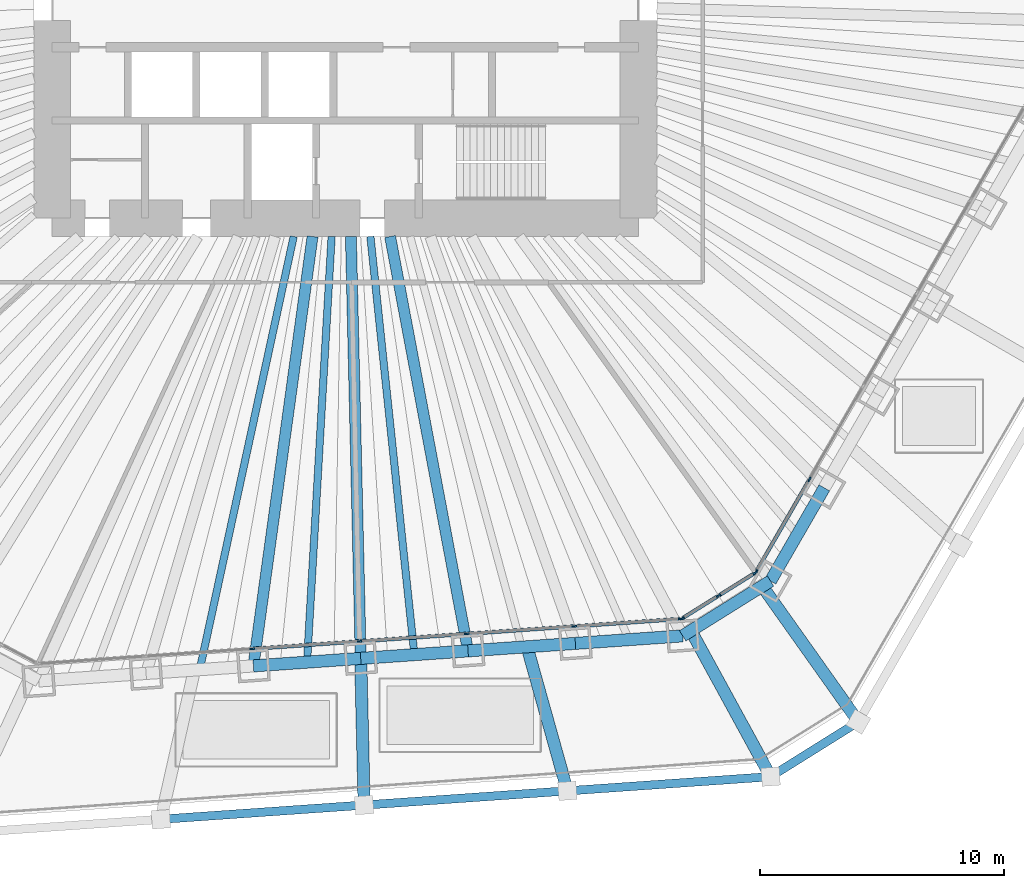
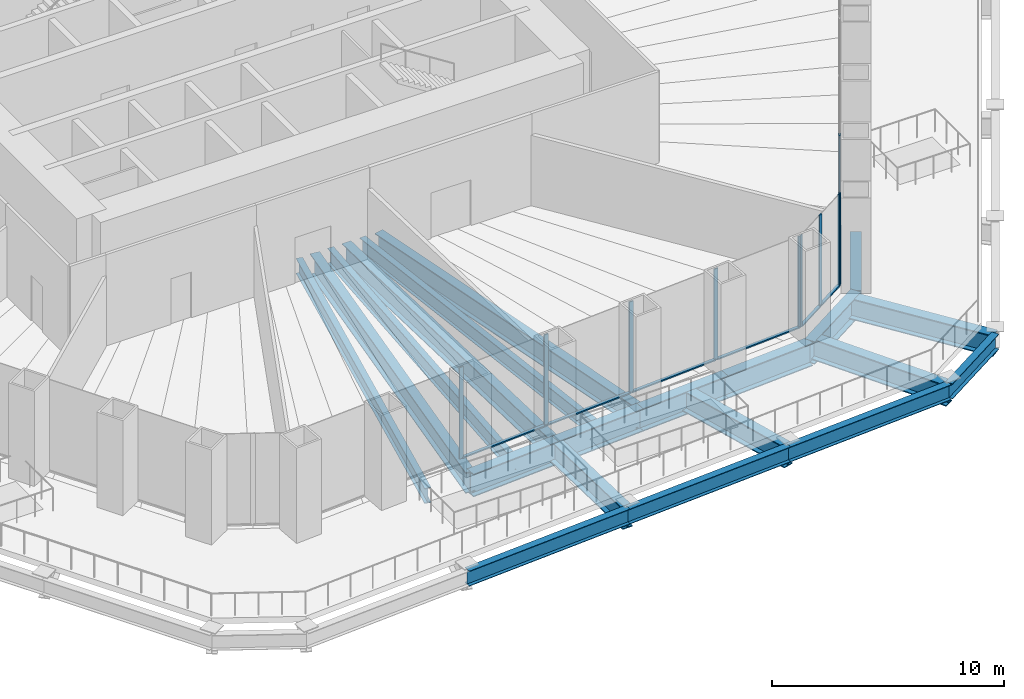
# One storey, part 4 of 20: 20 beams, 17 members, 3 elements without a shape of their own.
"""IFC4 building model written with IfcOpenShell, lengths in metres."""

from ifc_helpers import new_model, si_unit, direction, frame, origin, origin_2d, place, context, subcontext, project, spatial, rectangle, i_section, extrude, material, material_profile, profile_set, type_object, element, aggregate, save


model = new_model("IFC4")

# Units and contexts
model_context = context("Model", 3, precision=1e-05, world=origin(), true_north=direction((0.0, 1.0)))
body_context = subcontext(model_context, "Body", "Model", "MODEL_VIEW")
ifc_project = project(units=[si_unit("LENGTHUNIT", "METRE"), si_unit("AREAUNIT", "SQUARE_METRE"), si_unit("VOLUMEUNIT", "CUBIC_METRE"), si_unit("PLANEANGLEUNIT", "RADIAN"), si_unit("MASSUNIT", "GRAM", prefix="KILO")], contexts=[model_context])

# Site, building, storey
site_placement = place(None, origin())
site = spatial("IfcSite", under=ifc_project, at=site_placement, CompositionType="ELEMENT")
building_placement = place(site_placement, origin())
building = spatial("IfcBuilding", under=site, at=building_placement, Name="Qingtian Harvest Tower", CompositionType="ELEMENT")
storey_placement = place(building_placement, frame((0.0, 0.0, 17.0)))
storey = spatial("IfcBuildingStorey", under=building, at=storey_placement, Name="L03", CompositionType="ELEMENT", Elevation=17.0)

# Beams
ifc_material_1 = material(Name="Steel SM570MC", Category="steel")
ifc_material_profile_1 = material_profile(ifc_material_1, i_section(OverallWidth=0.449951171875, OverallDepth=1.10009765625, WebThickness=0.02197265625, FlangeThickness=0.044921875, at=origin_2d()), Name="H1100x450x22x45")
ifc_profile_set_1 = profile_set([ifc_material_profile_1], Name="Steel SM570MC")
beam_type_1 = type_object("IfcBeamType", Name="Floor beam FB1 H1100x450x22x45", PredefinedType="BEAM", material=ifc_profile_set_1)
beam_1_placement = place(storey_placement, frame((5.022705078125, -26.714599609375, -0.85009765625), z_axis=(-0.184782942099, 0.98277935688, 0.0), x_axis=(-0.98277935688, -0.184782942099, 0.0)))
element("IfcBeam", 1, at=beam_1_placement, inside=storey, type_object=beam_type_1, Name="Floor beam FB1 S2", PredefinedType="BEAM", context=body_context, shape_type="SweptSolid", body=[
    extrude(i_section(OverallWidth=0.449951171875, OverallDepth=1.10009765625, WebThickness=0.02197265625, FlangeThickness=0.044921875, at=origin_2d()), origin(), (0.0, 0.0, 1.0), 17.261962890625),
])
beam_2_placement = place(storey_placement, frame((0.62890625, -27.02197265625, -0.85009765625), z_axis=(-0.023274161941, 0.999729120005, 0.0), x_axis=(-0.999729120005, -0.023274161941, 0.0)))
element("IfcBeam", 2, at=beam_2_placement, inside=storey, type_object=beam_type_1, Name="Floor beam FB1 S3", PredefinedType="BEAM", context=body_context, shape_type="SweptSolid", body=[
    extrude(i_section(OverallWidth=0.449951171875, OverallDepth=1.10009765625, WebThickness=0.02197265625, FlangeThickness=0.044921875, at=origin_2d()), origin(), (0.0, 0.0, 1.0), 17.276611328125),
])
beam_3_placement = place(storey_placement, frame((-3.76513671875, -27.3291015625, -0.85009765625), z_axis=(0.136480966577, 0.990642693287, 0.0), x_axis=(-0.990642693287, 0.136480966577, 0.0)))
element("IfcBeam", 3, at=beam_3_placement, inside=storey, type_object=beam_type_1, Name="Floor beam FB1 S4", PredefinedType="BEAM", context=body_context, shape_type="SweptSolid", body=[
    extrude(i_section(OverallWidth=0.449951171875, OverallDepth=1.10009765625, WebThickness=0.02197265625, FlangeThickness=0.044921875, at=origin_2d()), origin(), (0.0, 0.0, 1.0), 17.7451171875),
])
ifc_material_2 = material(Name="Steel SM570MC", Category="steel")
ifc_material_profile_2 = material_profile(ifc_material_2, i_section(OverallWidth=0.5, OverallDepth=1.10009765625, WebThickness=0.02490234375, FlangeThickness=0.050048828125, at=origin_2d()), Name="H1100x500x25x50")
ifc_profile_set_2 = profile_set([ifc_material_profile_2], Name="Steel SM570MC")
beam_type_2 = type_object("IfcBeamType", Name="Floor beam FB6 H1100x500x25x50", PredefinedType="BEAM", material=ifc_profile_set_2)
for number, where, z_axis, x_axis, name in (
    (4, (21.005615234375, -29.6171875, -0.85009765625), (-0.578520766402, 0.81566765465, 0.0), (-0.81566765465, -0.578520766402, 0.0), "Podium floor beam FB6 SE4"),
    (5, (17.411376953125, -31.863037109375, -0.85009765625), (-0.479497824653, 0.877543067976, 0.0), (-0.877543067976, -0.479497824653, 0.0), "Podium floor beam FB6 S0"),
):
    element("IfcBeam", number, at=place(storey_placement, frame(where, z_axis=z_axis, x_axis=x_axis)), inside=storey, type_object=beam_type_2, Name=name, PredefinedType="BEAM", context=body_context, shape_type="SweptSolid", body=[
        extrude(i_section(OverallWidth=0.5, OverallDepth=1.10009765625, WebThickness=0.02490234375, FlangeThickness=0.050048828125, at=origin_2d()), origin(), (0.0, 0.0, 1.0), 6.806884765625),
    ])
beam_4_placement = place(storey_placement, frame((9.090087890625, -32.44482421875, -0.85009765625), z_axis=(-0.269801393406, 0.962915992242, 0.0), x_axis=(-0.962915992242, -0.269801393406, 0.0)))
element("IfcBeam", 6, at=beam_4_placement, inside=storey, type_object=beam_type_2, Name="Podium floor beam FB6 S1", PredefinedType="BEAM", context=body_context, shape_type="SweptSolid", body=[
    extrude(i_section(OverallWidth=0.5, OverallDepth=1.10009765625, WebThickness=0.02490234375, FlangeThickness=0.050048828125, at=origin_2d()), origin(), (0.0, 0.0, 1.0), 6.126220703125),
])
beam_5_placement = place(storey_placement, frame((0.7685546875, -33.02685546875, -0.85009765625), z_axis=(-0.023249527749, 0.999729693197, 0.0), x_axis=(-0.999729693197, -0.023249527749, 0.0)))
element("IfcBeam", 7, at=beam_5_placement, inside=storey, type_object=beam_type_2, Name="Podium floor beam FB6 S2", PredefinedType="BEAM", context=body_context, shape_type="SweptSolid", body=[
    extrude(i_section(OverallWidth=0.5, OverallDepth=1.10009765625, WebThickness=0.02490234375, FlangeThickness=0.050048828125, at=origin_2d()), origin(), (0.0, 0.0, 1.0), 6.006591796875),
])
ifc_material_3 = material(Name="Steel SN490B", Category="steel")
ifc_material_profile_3 = material_profile(ifc_material_3, i_section(OverallWidth=0.300048828125, OverallDepth=0.800048828125, WebThickness=0.013916015625, FlangeThickness=0.02587890625, at=origin_2d()), Name="H800x300x14x26")
ifc_profile_set_3 = profile_set([ifc_material_profile_3], Name="Steel SN490B")
beam_type_3 = type_object("IfcBeamType", Name="Floor joist J1 H800x300x14x26", PredefinedType="JOIST", material=ifc_profile_set_3)
beam_6_placement = place(storey_placement, frame((2.82568359375, -26.868408203125, -0.699951171875), z_axis=(-0.104590278152, 0.99451539642, 0.0), x_axis=(-0.99451539642, -0.104590278152, 0.0)))
element("IfcBeam", 8, at=beam_6_placement, inside=storey, type_object=beam_type_3, Name="Floor joist J1 S2", PredefinedType="JOIST", context=body_context, shape_type="SweptSolid", body=[
    extrude(i_section(OverallWidth=0.300048828125, OverallDepth=0.800048828125, WebThickness=0.013916015625, FlangeThickness=0.02587890625, at=origin_2d()), origin(), (0.0, 0.0, 1.0), 17.212890625),
])
beam_7_placement = place(storey_placement, frame((-1.568115234375, -27.175537109375, -0.699951171875), z_axis=(0.057613424947, 0.998338967118, 0.0), x_axis=(-0.998338967118, 0.057613424947, 0.0)))
element("IfcBeam", 9, at=beam_7_placement, inside=storey, type_object=beam_type_3, Name="Floor joist J1 S3", PredefinedType="JOIST", context=body_context, shape_type="SweptSolid", body=[
    extrude(i_section(OverallWidth=0.300048828125, OverallDepth=0.800048828125, WebThickness=0.013916015625, FlangeThickness=0.02587890625, at=origin_2d()), origin(), (0.0, 0.0, 1.0), 17.45458984375),
])
beam_8_placement = place(storey_placement, frame((-5.9619140625, -27.48291015625, -0.699951171875), z_axis=(0.211992805661, 0.977271226604, 0.0), x_axis=(-0.977271226604, 0.211992805661, 0.0)))
element("IfcBeam", 10, at=beam_8_placement, inside=storey, type_object=beam_type_3, Name="Floor joist J1 S4", PredefinedType="JOIST", context=body_context, shape_type="SweptSolid", body=[
    extrude(i_section(OverallWidth=0.300048828125, OverallDepth=0.800048828125, WebThickness=0.013916015625, FlangeThickness=0.02587890625, at=origin_2d()), origin(), (0.0, 0.0, 1.0), 18.145263671875),
])

# Curtain wall, members
ifc_material_4 = material(Name="Bronze-anodised aluminium curtain wall", Category="aluminium")
curtain_wall_type = type_object("IfcCurtainWallType", Name="Curtain wall CW2 farm reception", PredefinedType="USERDEFINED", material=ifc_material_4)
curtain_wall_1_placement = place(storey_placement, origin())
curtain_wall_1 = element("IfcCurtainWall", 11, at=curtain_wall_1_placement, inside=storey, type_object=curtain_wall_type, Name="Curtain wall CW2 L03 SE0-5", ObjectType="RECESSED CURTAIN WALL", PredefinedType="USERDEFINED")
ifc_material_5 = material(Name="Bronze-anodised aluminium mullion", Category="aluminium")
ifc_material_profile_4 = material_profile(ifc_material_5, rectangle(XDim=0.06494140625, YDim=0.199951171875, at=origin_2d()), Name="AL 65x200")
ifc_profile_set_4 = profile_set([ifc_material_profile_4], Name="Bronze-anodised aluminium mullion")
member_type_1 = type_object("IfcMemberType", Name="Mullion CWM 65x200", PredefinedType="MULLION", material=ifc_profile_set_4)
member_1_placement = place(storey_placement, frame((19.000732421875, -19.68994140625, 0.0), z_axis=(0.0, 0.0, 1.0), x_axis=(0.866025403784, -0.5, 0.0)))
member_1 = element("IfcMember", 12, at=member_1_placement, type_object=member_type_1, Name="CW2 mullion 6", PredefinedType="MULLION", context=body_context, shape_type="SweptSolid", body=[
    extrude(rectangle(XDim=0.06494140625, YDim=0.199951171875, at=origin_2d()), origin(), (0.0, 0.0, 1.0), 4.800048828125),
])
member_2_placement = place(storey_placement, frame((16.814697265625, -23.47607421875, 0.0), z_axis=(0.0, 0.0, 1.0), x_axis=(0.866025403784, -0.5, 0.0)))
member_2 = element("IfcMember", 13, at=member_2_placement, type_object=member_type_1, Name="CW2 mullion 7", PredefinedType="MULLION", context=body_context, shape_type="SweptSolid", body=[
    extrude(rectangle(XDim=0.06494140625, YDim=0.199951171875, at=origin_2d()), origin(), (0.0, 0.0, 1.0), 4.800048828125),
])

curtain_wall_2_placement = place(storey_placement, origin())
curtain_wall_2 = element("IfcCurtainWall", 14, at=curtain_wall_2_placement, inside=storey, type_object=curtain_wall_type, Name="Curtain wall CW2 L03 SEC", ObjectType="RECESSED CURTAIN WALL", PredefinedType="USERDEFINED")
member_3_placement = place(storey_placement, frame((16.770751953125, -23.521484375, 0.0), z_axis=(0.0, 0.0, 1.0), x_axis=(0.529919264233, -0.848048096156, 0.0)))
member_3 = element("IfcMember", 15, at=member_3_placement, type_object=member_type_1, Name="CW2 mullion 1", PredefinedType="MULLION", context=body_context, shape_type="SweptSolid", body=[
    extrude(rectangle(XDim=0.06494140625, YDim=0.199951171875, at=origin_2d()), origin(), (0.0, 0.0, 1.0), 4.800048828125),
])
member_4_placement = place(storey_placement, frame((15.280029296875, -24.453125, 0.0), z_axis=(0.0, 0.0, 1.0), x_axis=(0.529919264233, -0.848048096156, 0.0)))
member_4 = element("IfcMember", 16, at=member_4_placement, type_object=member_type_1, Name="CW2 mullion 2", PredefinedType="MULLION", context=body_context, shape_type="SweptSolid", body=[
    extrude(rectangle(XDim=0.06494140625, YDim=0.199951171875, at=origin_2d()), origin(), (0.0, 0.0, 1.0), 4.800048828125),
])
member_5_placement = place(storey_placement, frame((13.789306640625, -25.384765625, 0.0), z_axis=(0.0, 0.0, 1.0), x_axis=(0.529919264233, -0.848048096156, 0.0)))
member_5 = element("IfcMember", 17, at=member_5_placement, type_object=member_type_1, Name="CW2 mullion 3", PredefinedType="MULLION", context=body_context, shape_type="SweptSolid", body=[
    extrude(rectangle(XDim=0.06494140625, YDim=0.199951171875, at=origin_2d()), origin(), (0.0, 0.0, 1.0), 4.800048828125),
])

curtain_wall_3_placement = place(storey_placement, origin())
curtain_wall_3 = element("IfcCurtainWall", 18, at=curtain_wall_3_placement, inside=storey, type_object=curtain_wall_type, Name="Curtain wall CW2 L03 S0-5", ObjectType="RECESSED CURTAIN WALL", PredefinedType="USERDEFINED")
member_6_placement = place(storey_placement, frame((13.729248046875, -25.404296875, 0.0), z_axis=(0.0, 0.0, 1.0), x_axis=(0.069756473744, -0.99756405026, 0.0)))
member_6 = element("IfcMember", 19, at=member_6_placement, type_object=member_type_1, Name="CW2 mullion 1", PredefinedType="MULLION", context=body_context, shape_type="SweptSolid", body=[
    extrude(rectangle(XDim=0.06494140625, YDim=0.199951171875, at=origin_2d()), origin(), (0.0, 0.0, 1.0), 4.800048828125),
])
member_7_placement = place(storey_placement, frame((9.36767578125, -25.709228515625, 0.0), z_axis=(0.0, 0.0, 1.0), x_axis=(0.069756473744, -0.99756405026, 0.0)))
member_7 = element("IfcMember", 20, at=member_7_placement, type_object=member_type_1, Name="CW2 mullion 2", PredefinedType="MULLION", context=body_context, shape_type="SweptSolid", body=[
    extrude(rectangle(XDim=0.06494140625, YDim=0.199951171875, at=origin_2d()), origin(), (0.0, 0.0, 1.0), 4.800048828125),
])
member_8_placement = place(storey_placement, frame((4.973876953125, -26.016357421875, 0.0), z_axis=(0.0, 0.0, 1.0), x_axis=(0.069756473744, -0.99756405026, 0.0)))
member_8 = element("IfcMember", 21, at=member_8_placement, type_object=member_type_1, Name="CW2 mullion 3", PredefinedType="MULLION", context=body_context, shape_type="SweptSolid", body=[
    extrude(rectangle(XDim=0.06494140625, YDim=0.199951171875, at=origin_2d()), origin(), (0.0, 0.0, 1.0), 4.800048828125),
])
member_9_placement = place(storey_placement, frame((0.580078125, -26.32373046875, 0.0), z_axis=(0.0, 0.0, 1.0), x_axis=(0.069756473744, -0.99756405026, 0.0)))
member_9 = element("IfcMember", 22, at=member_9_placement, type_object=member_type_1, Name="CW2 mullion 4", PredefinedType="MULLION", context=body_context, shape_type="SweptSolid", body=[
    extrude(rectangle(XDim=0.06494140625, YDim=0.199951171875, at=origin_2d()), origin(), (0.0, 0.0, 1.0), 4.800048828125),
])
member_10_placement = place(storey_placement, frame((-3.81396484375, -26.630859375, 0.0), z_axis=(0.0, 0.0, 1.0), x_axis=(0.069756473744, -0.99756405026, 0.0)))
member_10 = element("IfcMember", 23, at=member_10_placement, type_object=member_type_1, Name="CW2 mullion 5", PredefinedType="MULLION", context=body_context, shape_type="SweptSolid", body=[
    extrude(rectangle(XDim=0.06494140625, YDim=0.199951171875, at=origin_2d()), origin(), (0.0, 0.0, 1.0), 4.800048828125),
])

# Beams
ifc_material_6 = material(Name="Steel SN490B", Category="steel")
ifc_material_profile_5 = material_profile(ifc_material_6, i_section(OverallWidth=0.35009765625, OverallDepth=0.800048828125, WebThickness=0.01611328125, FlangeThickness=0.028076171875, at=origin_2d()), Name="H800x350x16x28")
ifc_profile_set_5 = profile_set([ifc_material_profile_5], Name="Steel SN490B")
beam_type_4 = type_object("IfcBeamType", Name="Podium beam PB1 H800x350x16x28", PredefinedType="BEAM", material=ifc_profile_set_5)
beam_9_placement = place(storey_placement, frame((21.005615234375, -29.6171875, -0.699951171875), z_axis=(-0.848056550838, -0.529905733675, 0.0), x_axis=(0.529905733675, -0.848056550838, 0.0)))
element("IfcBeam", 24, at=beam_9_placement, inside=storey, type_object=beam_type_4, Name="Podium edge beam PB1 SE4", PredefinedType="BEAM", context=body_context, shape_type="SweptSolid", body=[
    extrude(i_section(OverallWidth=0.35009765625, OverallDepth=0.800048828125, WebThickness=0.01611328125, FlangeThickness=0.028076171875, at=origin_2d()), origin(), (0.0, 0.0, 1.0), 4.23828125),
])
beam_10_placement = place(storey_placement, frame((17.411376953125, -31.863037109375, -0.699951171875), z_axis=(-0.997564835239, -0.069745247106, 0.0), x_axis=(0.069745247106, -0.997564835239, 0.0)))
element("IfcBeam", 25, at=beam_10_placement, inside=storey, type_object=beam_type_4, Name="Podium edge beam PB1 S0", PredefinedType="BEAM", context=body_context, shape_type="SweptSolid", body=[
    extrude(i_section(OverallWidth=0.35009765625, OverallDepth=0.800048828125, WebThickness=0.01611328125, FlangeThickness=0.028076171875, at=origin_2d()), origin(), (0.0, 0.0, 1.0), 8.341552734375),
])
for number, where, z_axis, x_axis, name in (
    (26, (9.090087890625, -32.44482421875, -0.699951171875), (-0.99756294098, -0.069772335376, 0.0), (0.069772335376, -0.99756294098, 0.0), "Podium edge beam PB1 S1"),
    (27, (0.7685546875, -33.02685546875, -0.699951171875), (-0.997564977604, -0.069743210844, 0.0), (0.069743210844, -0.997564977604, 0.0), "Podium edge beam PB1 S2"),
):
    element("IfcBeam", number, at=place(storey_placement, frame(where, z_axis=z_axis, x_axis=x_axis)), inside=storey, type_object=beam_type_4, Name=name, PredefinedType="BEAM", context=body_context, shape_type="SweptSolid", body=[
        extrude(i_section(OverallWidth=0.35009765625, OverallDepth=0.800048828125, WebThickness=0.01611328125, FlangeThickness=0.028076171875, at=origin_2d()), origin(), (0.0, 0.0, 1.0), 8.341796875),
    ])
ifc_material_7 = material(Name="Steel SM570MC", Category="steel")
ifc_material_profile_6 = material_profile(ifc_material_7, i_section(OverallWidth=0.5, OverallDepth=1.199951171875, WebThickness=0.02490234375, FlangeThickness=0.050048828125, at=origin_2d()), Name="H1200x500x25x50")
ifc_profile_set_6 = profile_set([ifc_material_profile_6], Name="Steel SM570MC")
beam_type_5 = type_object("IfcBeamType", Name="Spandrel beam SB1 H1200x500x25x50", PredefinedType="SPANDREL", material=ifc_profile_set_6)
beam_11_placement = place(storey_placement, frame((19.60693359375, -20.039794921875, -0.89990234375), z_axis=(-0.50001992892, -0.866013897511, 0.0), x_axis=(0.866013897511, -0.50001992892, 0.0)))
element("IfcBeam", 28, at=beam_11_placement, inside=storey, type_object=beam_type_5, Name="Spandrel SB1 SE5", PredefinedType="SPANDREL", context=body_context, shape_type="SweptSolid", body=[
    extrude(i_section(OverallWidth=0.5, OverallDepth=1.199951171875, WebThickness=0.02490234375, FlangeThickness=0.050048828125, at=origin_2d()), origin(), (0.0, 0.0, 1.0), 4.404541015625),
])
beam_12_placement = place(storey_placement, frame((17.404541015625, -23.854248046875, -0.89990234375), z_axis=(-0.848040374245, -0.529931621675, 0.0), x_axis=(0.529931621675, -0.848040374245, 0.0)))
element("IfcBeam", 29, at=beam_12_placement, inside=storey, type_object=beam_type_5, Name="Spandrel SB1 SEC", PredefinedType="SPANDREL", context=body_context, shape_type="SweptSolid", body=[
    extrude(i_section(OverallWidth=0.5, OverallDepth=1.199951171875, WebThickness=0.02490234375, FlangeThickness=0.050048828125, at=origin_2d()), origin(), (0.0, 0.0, 1.0), 4.238037109375),
])
beam_13_placement = place(storey_placement, frame((13.810546875, -26.10009765625, -0.89990234375), z_axis=(-0.997562286406, -0.069781693443, 0.0), x_axis=(0.069781693443, -0.997562286406, 0.0)))
element("IfcBeam", 30, at=beam_13_placement, inside=storey, type_object=beam_type_5, Name="Spandrel SB1 S0", PredefinedType="SPANDREL", context=body_context, shape_type="SweptSolid", body=[
    extrude(i_section(OverallWidth=0.5, OverallDepth=1.199951171875, WebThickness=0.02490234375, FlangeThickness=0.050048828125, at=origin_2d()), origin(), (0.0, 0.0, 1.0), 4.40478515625),
])
for number, where, z_axis, x_axis, name in (
    (31, (9.41650390625, -26.407470703125, -0.89990234375), (-0.997565873714, -0.069730392239, 0.0), (0.069730392239, -0.997565873714, 0.0), "Spandrel SB1 S1"),
    (32, (5.022705078125, -26.714599609375, -0.89990234375), (-0.997562016486, -0.069785551967, 0.0), (0.069785551967, -0.997562016486, 0.0), "Spandrel SB1 S2"),
):
    element("IfcBeam", number, at=place(storey_placement, frame(where, z_axis=z_axis, x_axis=x_axis)), inside=storey, type_object=beam_type_5, Name=name, PredefinedType="SPANDREL", context=body_context, shape_type="SweptSolid", body=[
        extrude(i_section(OverallWidth=0.5, OverallDepth=1.199951171875, WebThickness=0.02490234375, FlangeThickness=0.050048828125, at=origin_2d()), origin(), (0.0, 0.0, 1.0), 4.404541015625),
    ])
beam_14_placement = place(storey_placement, frame((0.62890625, -27.02197265625, -0.89990234375), z_axis=(-0.997566143208, -0.069726536735, 0.0), x_axis=(0.069726536735, -0.997566143208, 0.0)))
element("IfcBeam", 33, at=beam_14_placement, inside=storey, type_object=beam_type_5, Name="Spandrel SB1 S3", PredefinedType="SPANDREL", context=body_context, shape_type="SweptSolid", body=[
    extrude(i_section(OverallWidth=0.5, OverallDepth=1.199951171875, WebThickness=0.02490234375, FlangeThickness=0.050048828125, at=origin_2d()), origin(), (0.0, 0.0, 1.0), 4.40478515625),
])

# Member
ifc_material_8 = material(Name="Bronze-anodised aluminium transom", Category="aluminium")
ifc_material_profile_7 = material_profile(ifc_material_8, rectangle(XDim=0.14990234375, YDim=0.06494140625, at=origin_2d()), Name="AL 65x150")
ifc_profile_set_7 = profile_set([ifc_material_profile_7], Name="Bronze-anodised aluminium transom")
member_type_2 = type_object("IfcMemberType", Name="Transom CWT 65x150", PredefinedType="USERDEFINED", material=ifc_profile_set_7)
member_11_placement = place(storey_placement, frame((18.984375, -19.718017578125, 0.032470703125), z_axis=(-0.500010313095, -0.866019449435, 0.0), x_axis=(0.866019449435, -0.500010313095, 0.0)))
member_11 = element("IfcMember", 34, at=member_11_placement, type_object=member_type_2, Name="CW2 transom 6.1", ObjectType="TRANSOM", PredefinedType="USERDEFINED", context=body_context, shape_type="SweptSolid", body=[
    extrude(rectangle(XDim=0.14990234375, YDim=0.06494140625, at=origin_2d()), origin(), (0.0, 0.0, 1.0), 4.30712890625),
])

aggregate(curtain_wall_1, [member_1, member_2, member_11])

member_12_placement = place(storey_placement, frame((16.7431640625, -23.538818359375, 0.032470703125), z_axis=(-0.848063119425, -0.529895221219, 0.0), x_axis=(0.529895221219, -0.848063119425, 0.0)))
member_12 = element("IfcMember", 35, at=member_12_placement, type_object=member_type_2, Name="CW2 transom 1.1", ObjectType="TRANSOM", PredefinedType="USERDEFINED", context=body_context, shape_type="SweptSolid", body=[
    extrude(rectangle(XDim=0.14990234375, YDim=0.06494140625, at=origin_2d()), origin(), (0.0, 0.0, 1.0), 1.692626953125),
])

member_13_placement = place(storey_placement, frame((15.25244140625, -24.470458984375, 0.032470703125), z_axis=(-0.848103609743, -0.529830413568, 0.0), x_axis=(0.529830413568, -0.848103609743, 0.0)))
member_13 = element("IfcMember", 36, at=member_13_placement, type_object=member_type_2, Name="CW2 transom 2.1", ObjectType="TRANSOM", PredefinedType="USERDEFINED", context=body_context, shape_type="SweptSolid", body=[
    extrude(rectangle(XDim=0.14990234375, YDim=0.06494140625, at=origin_2d()), origin(), (0.0, 0.0, 1.0), 1.69287109375),
])

aggregate(curtain_wall_2, [member_3, member_4, member_5, member_12, member_13])

member_14_placement = place(storey_placement, frame((13.69677734375, -25.406494140625, 0.032470703125), z_axis=(-0.997566581753, -0.069720262262, 0.0), x_axis=(0.069720262262, -0.997566581753, 0.0)))
member_14 = element("IfcMember", 37, at=member_14_placement, type_object=member_type_2, Name="CW2 transom 1.1", ObjectType="TRANSOM", PredefinedType="USERDEFINED", context=body_context, shape_type="SweptSolid", body=[
    extrude(rectangle(XDim=0.14990234375, YDim=0.06494140625, at=origin_2d()), origin(), (0.0, 0.0, 1.0), 4.30712890625),
])

member_15_placement = place(storey_placement, frame((9.33544921875, -25.71142578125, 0.032470703125), z_axis=(-0.997563824095, -0.069759707979, 0.0), x_axis=(0.069759707979, -0.997563824095, 0.0)))
member_15 = element("IfcMember", 38, at=member_15_placement, type_object=member_type_2, Name="CW2 transom 2.1", ObjectType="TRANSOM", PredefinedType="USERDEFINED", context=body_context, shape_type="SweptSolid", body=[
    extrude(rectangle(XDim=0.14990234375, YDim=0.06494140625, at=origin_2d()), origin(), (0.0, 0.0, 1.0), 4.339599609375),
])

member_16_placement = place(storey_placement, frame((4.94140625, -26.018798828125, 0.032470703125), z_axis=(-0.997567737508, -0.069703723594, 0.0), x_axis=(0.069703723594, -0.997567737508, 0.0)))
member_16 = element("IfcMember", 39, at=member_16_placement, type_object=member_type_2, Name="CW2 transom 3.1", ObjectType="TRANSOM", PredefinedType="USERDEFINED", context=body_context, shape_type="SweptSolid", body=[
    extrude(rectangle(XDim=0.14990234375, YDim=0.06494140625, at=origin_2d()), origin(), (0.0, 0.0, 1.0), 4.339599609375),
])

member_17_placement = place(storey_placement, frame((0.547607421875, -26.325927734375, 0.032470703125), z_axis=(-0.997563824095, -0.069759707979, 0.0), x_axis=(0.069759707979, -0.997563824095, 0.0)))
member_17 = element("IfcMember", 40, at=member_17_placement, type_object=member_type_2, Name="CW2 transom 4.1", ObjectType="TRANSOM", PredefinedType="USERDEFINED", context=body_context, shape_type="SweptSolid", body=[
    extrude(rectangle(XDim=0.14990234375, YDim=0.06494140625, at=origin_2d()), origin(), (0.0, 0.0, 1.0), 4.339599609375),
])

aggregate(curtain_wall_3, [member_6, member_7, member_8, member_9, member_10, member_14, member_15, member_16, member_17])

save(model, "model.ifc")
